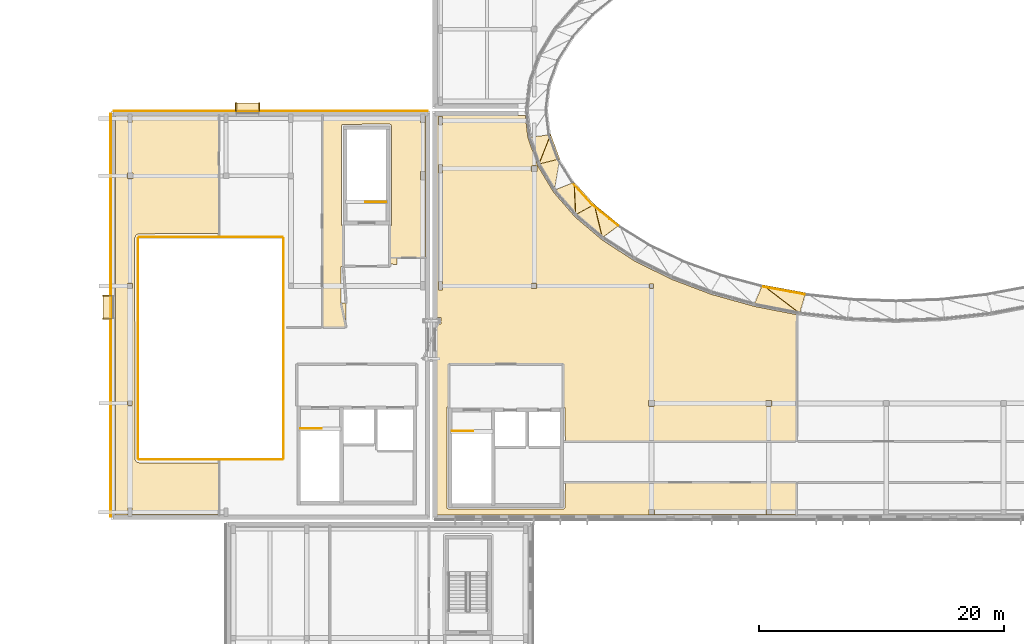
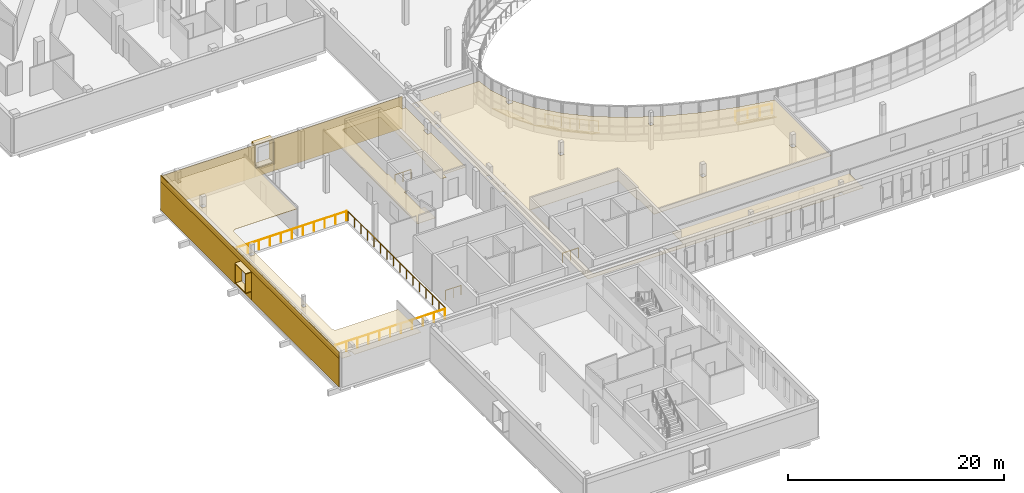
# One storey, part 56 of 73: 27 coverings, 10 railings.
"""IFC4 building model written with IfcOpenShell, lengths in metres."""

from ifc_helpers import new_model, si_unit, direction, frame, origin, origin_2d, place, context, subcontext, project, spatial, polyline, rectangle, circle, outline, extrude, material, layer, layer_set, type_object, element, save


model = new_model("IFC4")

# Units and contexts
model_context = context("Model", 3, precision=1e-05, world=origin(), true_north=direction((0.0, 1.0)))
body_context = subcontext(model_context, "Body", "Model", "MODEL_VIEW")
ifc_project = project(units=[si_unit("LENGTHUNIT", "METRE"), si_unit("AREAUNIT", "SQUARE_METRE"), si_unit("VOLUMEUNIT", "CUBIC_METRE"), si_unit("PLANEANGLEUNIT", "RADIAN"), si_unit("MASSUNIT", "GRAM", prefix="KILO")], contexts=[model_context])

# Site, building, storey
site_placement = place(None, origin())
site = spatial("IfcSite", under=ifc_project, at=site_placement, CompositionType="ELEMENT")
building_placement = place(site_placement, origin())
building = spatial("IfcBuilding", under=site, at=building_placement, Name="Mzevani Central Library", CompositionType="ELEMENT")
storey_placement = place(building_placement, frame((0.0, 0.0, 9.60009765625)))
storey = spatial("IfcBuildingStorey", under=building, at=storey_placement, Name="L02", CompositionType="ELEMENT", Elevation=9.60009765625)

# Railings
ifc_material_1 = material(Name="Brushed stainless steel rail", Category="steel")
railing_type_1 = type_object("IfcRailingType", Name="Interior Gallery and Stair Guard 1100", PredefinedType="BALUSTRADE", material=ifc_material_1)
railing_1_placement = place(storey_placement, frame((33.800048828125, 47.39990234375, 0.0)))
element("IfcRailing", 1, at=railing_1_placement, inside=storey, type_object=railing_type_1, Name="L02 V5 Double-Height Void Guard 19", PredefinedType="BALUSTRADE", context=body_context, shape_type="SweptSolid", body=[
    extrude(circle(Radius=0.02392578125, at=origin_2d()), frame((0.0, 0.0, 1.076171875), z_axis=(-1.0, 0.0, 0.0), x_axis=(0.0, -1.0, 0.0)), (0.0, 0.0, 1.0), 11.699951171875),
    extrude(circle(Radius=0.02099609375, at=origin_2d()), origin(), (0.0, 0.0, 1.0), 1.052001953125),
    extrude(circle(Radius=0.02099609375, at=origin_2d()), frame((-1.169921875, 0.0, 0.0)), (0.0, 0.0, 1.0), 1.052001953125),
    extrude(circle(Radius=0.02099609375, at=origin_2d()), frame((-2.340087890625, 0.0, 0.0)), (0.0, 0.0, 1.0), 1.052001953125),
    extrude(circle(Radius=0.02099609375, at=origin_2d()), frame((-3.510009765625, 0.0, 0.0)), (0.0, 0.0, 1.0), 1.052001953125),
    extrude(circle(Radius=0.02099609375, at=origin_2d()), frame((-4.679931640625, 0.0, 0.0)), (0.0, 0.0, 1.0), 1.052001953125),
    extrude(circle(Radius=0.02099609375, at=origin_2d()), frame((-5.85009765625, 0.0, 0.0)), (0.0, 0.0, 1.0), 1.052001953125),
    extrude(circle(Radius=0.02099609375, at=origin_2d()), frame((-7.02001953125, 0.0, 0.0)), (0.0, 0.0, 1.0), 1.052001953125),
    extrude(circle(Radius=0.02099609375, at=origin_2d()), frame((-8.18994140625, 0.0, 0.0)), (0.0, 0.0, 1.0), 1.052001953125),
    extrude(circle(Radius=0.02099609375, at=origin_2d()), frame((-9.35986328125, 0.0, 0.0)), (0.0, 0.0, 1.0), 1.052001953125),
    extrude(circle(Radius=0.02099609375, at=origin_2d()), frame((-10.530029296875, 0.0, 0.0)), (0.0, 0.0, 1.0), 1.052001953125),
    extrude(circle(Radius=0.02099609375, at=origin_2d()), frame((-11.699951171875, 0.0, 0.0)), (0.0, 0.0, 1.0), 1.052001953125),
])
railing_2_placement = place(storey_placement, frame((22.0, 47.5, 0.0)))
element("IfcRailing", 2, at=railing_2_placement, inside=storey, type_object=railing_type_1, Name="L02 V5 Double-Height Void Guard 20", PredefinedType="BALUSTRADE", context=body_context, shape_type="SweptSolid", body=[
    extrude(circle(Radius=0.02392578125, at=origin_2d()), frame((0.0, 0.0, 1.076171875), z_axis=(0.0, 1.0, 0.0), x_axis=(-1.0, 0.0, 0.0)), (0.0, 0.0, 1.0), 18.0),
    extrude(circle(Radius=0.02099609375, at=origin_2d()), origin(), (0.0, 0.0, 1.0), 1.052001953125),
    extrude(circle(Radius=0.02099609375, at=origin_2d()), frame((0.0, 1.199951171875, 0.0)), (0.0, 0.0, 1.0), 1.052001953125),
    extrude(circle(Radius=0.02099609375, at=origin_2d()), frame((0.0, 2.39990234375, 0.0)), (0.0, 0.0, 1.0), 1.052001953125),
    extrude(circle(Radius=0.02099609375, at=origin_2d()), frame((0.0, 3.60009765625, 0.0)), (0.0, 0.0, 1.0), 1.052001953125),
    extrude(circle(Radius=0.02099609375, at=origin_2d()), frame((0.0, 4.800048828125, 0.0)), (0.0, 0.0, 1.0), 1.052001953125),
    extrude(circle(Radius=0.02099609375, at=origin_2d()), frame((0.0, 6.0, 0.0)), (0.0, 0.0, 1.0), 1.052001953125),
    extrude(circle(Radius=0.02099609375, at=origin_2d()), frame((0.0, 7.199951171875, 0.0)), (0.0, 0.0, 1.0), 1.052001953125),
    extrude(circle(Radius=0.02099609375, at=origin_2d()), frame((0.0, 8.39990234375, 0.0)), (0.0, 0.0, 1.0), 1.052001953125),
    extrude(circle(Radius=0.02099609375, at=origin_2d()), frame((0.0, 9.60009765625, 0.0)), (0.0, 0.0, 1.0), 1.052001953125),
    extrude(circle(Radius=0.02099609375, at=origin_2d()), frame((0.0, 10.800048828125, 0.0)), (0.0, 0.0, 1.0), 1.052001953125),
    extrude(circle(Radius=0.02099609375, at=origin_2d()), frame((0.0, 12.0, 0.0)), (0.0, 0.0, 1.0), 1.052001953125),
    extrude(circle(Radius=0.02099609375, at=origin_2d()), frame((0.0, 13.199951171875, 0.0)), (0.0, 0.0, 1.0), 1.052001953125),
    extrude(circle(Radius=0.02099609375, at=origin_2d()), frame((0.0, 14.39990234375, 0.0)), (0.0, 0.0, 1.0), 1.052001953125),
    extrude(circle(Radius=0.02099609375, at=origin_2d()), frame((0.0, 15.60009765625, 0.0)), (0.0, 0.0, 1.0), 1.052001953125),
    extrude(circle(Radius=0.02099609375, at=origin_2d()), frame((0.0, 16.800048828125, 0.0)), (0.0, 0.0, 1.0), 1.052001953125),
    extrude(circle(Radius=0.02099609375, at=origin_2d()), frame((0.0, 18.0, 0.0)), (0.0, 0.0, 1.0), 1.052001953125),
])
railing_3_placement = place(storey_placement, frame((22.10009765625, 65.60009765625, 0.0)))
element("IfcRailing", 3, at=railing_3_placement, inside=storey, type_object=railing_type_1, Name="L02 V5 Double-Height Void Guard 21", PredefinedType="BALUSTRADE", context=body_context, shape_type="SweptSolid", body=[
    extrude(circle(Radius=0.02392578125, at=origin_2d()), frame((0.0, 0.0, 1.076171875), z_axis=(1.0, 0.0, 0.0), x_axis=(0.0, 1.0, 0.0)), (0.0, 0.0, 1.0), 11.699951171875),
    extrude(circle(Radius=0.02099609375, at=origin_2d()), origin(), (0.0, 0.0, 1.0), 1.052001953125),
    extrude(circle(Radius=0.02099609375, at=origin_2d()), frame((1.169921875, 0.0, 0.0)), (0.0, 0.0, 1.0), 1.052001953125),
    extrude(circle(Radius=0.02099609375, at=origin_2d()), frame((2.340087890625, 0.0, 0.0)), (0.0, 0.0, 1.0), 1.052001953125),
    extrude(circle(Radius=0.02099609375, at=origin_2d()), frame((3.510009765625, 0.0, 0.0)), (0.0, 0.0, 1.0), 1.052001953125),
    extrude(circle(Radius=0.02099609375, at=origin_2d()), frame((4.679931640625, 0.0, 0.0)), (0.0, 0.0, 1.0), 1.052001953125),
    extrude(circle(Radius=0.02099609375, at=origin_2d()), frame((5.85009765625, 0.0, 0.0)), (0.0, 0.0, 1.0), 1.052001953125),
    extrude(circle(Radius=0.02099609375, at=origin_2d()), frame((7.02001953125, 0.0, 0.0)), (0.0, 0.0, 1.0), 1.052001953125),
    extrude(circle(Radius=0.02099609375, at=origin_2d()), frame((8.18994140625, 0.0, 0.0)), (0.0, 0.0, 1.0), 1.052001953125),
    extrude(circle(Radius=0.02099609375, at=origin_2d()), frame((9.35986328125, 0.0, 0.0)), (0.0, 0.0, 1.0), 1.052001953125),
    extrude(circle(Radius=0.02099609375, at=origin_2d()), frame((10.530029296875, 0.0, 0.0)), (0.0, 0.0, 1.0), 1.052001953125),
    extrude(circle(Radius=0.02099609375, at=origin_2d()), frame((11.699951171875, 0.0, 0.0)), (0.0, 0.0, 1.0), 1.052001953125),
])
railing_4_placement = place(storey_placement, frame((33.89990234375, 65.5, 0.0)))
element("IfcRailing", 4, at=railing_4_placement, inside=storey, type_object=railing_type_1, Name="L02 V5 Double-Height Void Guard 22", PredefinedType="BALUSTRADE", context=body_context, shape_type="SweptSolid", body=[
    extrude(circle(Radius=0.02392578125, at=origin_2d()), frame((0.0, 0.0, 1.076171875), z_axis=(0.0, -1.0, 0.0), x_axis=(1.0, 0.0, 0.0)), (0.0, 0.0, 1.0), 18.0),
    extrude(circle(Radius=0.02099609375, at=origin_2d()), origin(), (0.0, 0.0, 1.0), 1.052001953125),
    extrude(circle(Radius=0.02099609375, at=origin_2d()), frame((0.0, -1.199951171875, 0.0)), (0.0, 0.0, 1.0), 1.052001953125),
    extrude(circle(Radius=0.02099609375, at=origin_2d()), frame((0.0, -2.39990234375, 0.0)), (0.0, 0.0, 1.0), 1.052001953125),
    extrude(circle(Radius=0.02099609375, at=origin_2d()), frame((0.0, -3.60009765625, 0.0)), (0.0, 0.0, 1.0), 1.052001953125),
    extrude(circle(Radius=0.02099609375, at=origin_2d()), frame((0.0, -4.800048828125, 0.0)), (0.0, 0.0, 1.0), 1.052001953125),
    extrude(circle(Radius=0.02099609375, at=origin_2d()), frame((0.0, -6.0, 0.0)), (0.0, 0.0, 1.0), 1.052001953125),
    extrude(circle(Radius=0.02099609375, at=origin_2d()), frame((0.0, -7.199951171875, 0.0)), (0.0, 0.0, 1.0), 1.052001953125),
    extrude(circle(Radius=0.02099609375, at=origin_2d()), frame((0.0, -8.39990234375, 0.0)), (0.0, 0.0, 1.0), 1.052001953125),
    extrude(circle(Radius=0.02099609375, at=origin_2d()), frame((0.0, -9.60009765625, 0.0)), (0.0, 0.0, 1.0), 1.052001953125),
    extrude(circle(Radius=0.02099609375, at=origin_2d()), frame((0.0, -10.800048828125, 0.0)), (0.0, 0.0, 1.0), 1.052001953125),
    extrude(circle(Radius=0.02099609375, at=origin_2d()), frame((0.0, -12.0, 0.0)), (0.0, 0.0, 1.0), 1.052001953125),
    extrude(circle(Radius=0.02099609375, at=origin_2d()), frame((0.0, -13.199951171875, 0.0)), (0.0, 0.0, 1.0), 1.052001953125),
    extrude(circle(Radius=0.02099609375, at=origin_2d()), frame((0.0, -14.39990234375, 0.0)), (0.0, 0.0, 1.0), 1.052001953125),
    extrude(circle(Radius=0.02099609375, at=origin_2d()), frame((0.0, -15.60009765625, 0.0)), (0.0, 0.0, 1.0), 1.052001953125),
    extrude(circle(Radius=0.02099609375, at=origin_2d()), frame((0.0, -16.800048828125, 0.0)), (0.0, 0.0, 1.0), 1.052001953125),
    extrude(circle(Radius=0.02099609375, at=origin_2d()), frame((0.0, -18.0, 0.0)), (0.0, 0.0, 1.0), 1.052001953125),
])
for number, where, name in (
    (5, (47.699951171875, 49.75, 0.0), "L02 ST-01 top well guard 1"),
    (6, (35.300048828125, 49.949951171875, 0.0), "L02 ST-09 top well guard 1"),
):
    element("IfcRailing", number, at=place(storey_placement, frame(where)), inside=storey, type_object=railing_type_1, Name=name, PredefinedType="BALUSTRADE", context=body_context, shape_type="SweptSolid", body=[
        extrude(circle(Radius=0.02392578125, at=origin_2d()), frame((0.0, 0.0, 1.076171875), z_axis=(1.0, 0.0, 0.0), x_axis=(0.0, 1.0, 0.0)), (0.0, 0.0, 1.0), 1.699951171875),
        extrude(circle(Radius=0.02099609375, at=origin_2d()), origin(), (0.0, 0.0, 1.0), 1.052001953125),
        extrude(circle(Radius=0.02099609375, at=origin_2d()), frame((0.85009765625, 0.0, 0.0)), (0.0, 0.0, 1.0), 1.052001953125),
        extrude(circle(Radius=0.02099609375, at=origin_2d()), frame((1.699951171875, 0.0, 0.0)), (0.0, 0.0, 1.0), 1.052001953125),
    ])
railing_5_placement = place(storey_placement, frame((42.300048828125, 68.449951171875, 0.0)))
element("IfcRailing", 7, at=railing_5_placement, inside=storey, type_object=railing_type_1, Name="L02 ST-10 top well guard 1", PredefinedType="BALUSTRADE", context=body_context, shape_type="SweptSolid", body=[
    extrude(circle(Radius=0.02392578125, at=origin_2d()), frame((0.0, 0.0, 1.076171875), z_axis=(-1.0, 0.0, 0.0), x_axis=(0.0, -1.0, 0.0)), (0.0, 0.0, 1.0), 1.699951171875),
    extrude(circle(Radius=0.02099609375, at=origin_2d()), origin(), (0.0, 0.0, 1.0), 1.052001953125),
    extrude(circle(Radius=0.02099609375, at=origin_2d()), frame((-0.85009765625, 0.0, 0.0)), (0.0, 0.0, 1.0), 1.052001953125),
    extrude(circle(Radius=0.02099609375, at=origin_2d()), frame((-1.699951171875, 0.0, 0.0)), (0.0, 0.0, 1.0), 1.052001953125),
])

# Coverings
ifc_material_2 = material(Name="Limestone ashlar cladding", Category="masonry")
ifc_layer_1 = layer(ifc_material_2, 0.050048828125, Name="Limestone Ashlar Spandrel Cladding")
ifc_layer_set_1 = layer_set([ifc_layer_1], Name="Limestone ashlar cladding")
covering_type_1 = type_object("IfcCoveringType", Name="Limestone Ashlar Spandrel Cladding", PredefinedType="CLADDING", material=ifc_layer_set_1)
covering_1_placement = place(storey_placement, frame((55.763427734375, 73.979736328125, -0.280029296875), z_axis=(0.455633887717, 0.167030128736, 0.874356161103), x_axis=(0.344189928554, -0.938900044244, 0.0)))
element("IfcCovering", 8, at=covering_1_placement, inside=storey, type_object=covering_type_1, Name="L02 Curved Court Spandrel Apron 26A", PredefinedType="CLADDING", context=body_context, shape_type="SweptSolid", body=[
    extrude(outline(polyline([(0.0, 0.0), (2.105969569387598, 0.0), (1.9290485686132501, -1.9781394470171674), (0.0, 0.0)])), origin(), (0.0, 0.0, -1.0), 0.06005859375),
])
covering_2_placement = place(storey_placement, frame((55.763427734375, 73.979736328125, -0.280029296875), z_axis=(0.463486482429, 0.162583177729, 0.871060842264), x_axis=(-0.347432125005, -0.870966036668, 0.347432125005)))
element("IfcCovering", 9, at=covering_2_placement, inside=storey, type_object=covering_type_1, Name="L02 Curved Court Spandrel Apron 26B", PredefinedType="CLADDING", context=body_context, shape_type="SweptSolid", body=[
    extrude(outline(polyline([(0.0, 0.0), (2.763017200799556, 1.1102230246251565e-16), (1.1280344801471227, -1.6361023595617041), (0.0, 0.0)])), origin(), (0.0, 0.0, -1.0), 0.06005859375),
])
covering_3_placement = place(storey_placement, frame((56.489013671875, 71.99658203125, -0.280029296875), z_axis=(0.427600540054, 0.255985632077, 0.866965474696), x_axis=(-0.153083962784, -0.924708685444, 0.34853858811)))
element("IfcCovering", 10, at=covering_3_placement, inside=storey, type_object=covering_type_1, Name="L02 Curved Court Spandrel Apron 27B", PredefinedType="CLADDING", context=body_context, shape_type="SweptSolid", body=[
    extrude(outline(polyline([(0.0, 0.0), (2.7542457858238034, 1.6653345369377348e-16), (0.9988317652266225, -1.7175674107977268), (0.0, 0.0)])), origin(), (0.0, 0.0, -1.0), 0.06005859375),
])
covering_4_placement = place(storey_placement, frame((57.6845703125, 70.081298828125, -0.280029296875), z_axis=(0.36585431981, 0.332460109684, 0.869264569706), x_axis=(0.67252356476, -0.740075708858, 0.0)))
element("IfcCovering", 11, at=covering_4_placement, inside=storey, type_object=covering_type_1, Name="L02 Curved Court Spandrel Apron 28A", PredefinedType="CLADDING", context=body_context, shape_type="SweptSolid", body=[
    extrude(outline(polyline([(0.0, 0.0), (2.44313581314485, 0.0), (2.039067818609189, -1.9418761316414812), (0.0, 0.0)])), origin(), (0.0, 0.0, -1.0), 0.06005859375),
])
covering_5_placement = place(storey_placement, frame((57.6845703125, 70.081298828125, -0.280029296875), z_axis=(0.380664338641, 0.331026640171, 0.863432698468), x_axis=(0.043352045933, -0.939092018998, 0.340920489216)))
element("IfcCovering", 12, at=covering_5_placement, inside=storey, type_object=covering_type_1, Name="L02 Curved Court Spandrel Apron 28B", PredefinedType="CLADDING", context=body_context, shape_type="SweptSolid", body=[
    extrude(outline(polyline([(0.0, 0.0), (2.8157912705892314, 1.6653345369377348e-16), (0.8662632066618072, -1.7874698419575334), (0.0, 0.0)])), origin(), (0.0, 0.0, -1.0), 0.06005859375),
])
covering_6_placement = place(storey_placement, frame((59.32958984375, 68.2666015625, -0.280029296875), z_axis=(0.313297171416, 0.385757979486, 0.867776275111), x_axis=(0.776243179452, -0.63043360186, 0.0)))
element("IfcCovering", 13, at=covering_6_placement, inside=storey, type_object=covering_type_1, Name="L02 Curved Court Spandrel Apron 29A", PredefinedType="CLADDING", context=body_context, shape_type="SweptSolid", body=[
    extrude(outline(polyline([(0.0, 0.0), (2.6589152708638646, 0.0), (2.2156245628765685, -1.9316855901920125), (0.0, 0.0)])), origin(), (0.0, 0.0, -1.0), 0.06005859375),
])
covering_7_placement = place(storey_placement, frame((59.32958984375, 68.2666015625, -0.280029296875), z_axis=(0.328630553265, 0.387261921438, 0.861411727146), x_axis=(0.225581176711, -0.917856253251, 0.326577756563)))
element("IfcCovering", 14, at=covering_7_placement, inside=storey, type_object=covering_type_1, Name="L02 Curved Court Spandrel Apron 29B", PredefinedType="CLADDING", context=body_context, shape_type="SweptSolid", body=[
    extrude(outline(polyline([(0.0, 0.0), (2.9394559739818265, -5.551115123125783e-17), (0.7495256528974306, -1.838540987741635), (0.0, 0.0)])), origin(), (0.0, 0.0, -1.0), 0.06005859375),
])
covering_8_placement = place(storey_placement, frame((73.08935546875, 61.693115234375, -0.280029296875), z_axis=(0.088117395966, 0.478223562515, 0.873806356571), x_axis=(0.983444547385, -0.181209332591, 0.0)))
element("IfcCovering", 15, at=covering_8_placement, inside=storey, type_object=covering_type_1, Name="L02 Curved Court Spandrel Apron 34A", PredefinedType="CLADDING", context=body_context, shape_type="SweptSolid", body=[
    extrude(outline(polyline([(0.0, 0.0), (3.577041811841854, 0.0), (3.3983879339540835, -1.9741150869311932), (0.0, 0.0)])), origin(), (0.0, 0.0, -1.0), 0.06005859375),
])
covering_9_placement = place(storey_placement, frame((73.08935546875, 61.693115234375, -0.280029296875), z_axis=(0.093032239011, 0.483291368597, 0.870502415588), x_axis=(0.770843861643, -0.588336063633, 0.24425482021)))
element("IfcCovering", 16, at=covering_9_placement, inside=storey, type_object=covering_type_1, Name="L02 Curved Court Spandrel Apron 34B", PredefinedType="CLADDING", context=body_context, shape_type="SweptSolid", body=[
    extrude(outline(polyline([(0.0, 0.0), (3.9301616921055618, -1.6653345369377348e-16), (0.6448005874871986, -1.8780940729825715), (0.0, 0.0)])), origin(), (0.0, 0.0, -1.0), 0.06005859375),
])
for number, where, z_axis, x_axis, name in (
    (17, (19.4619140625, 59.8603515625, 3.14990234375), (0.0, 0.0, 1.0), (0.0, 1.0, 0.0), "L02 Deep Window Reveal HD (REV4-0190)"),
    (18, (19.4619140625, 59.8603515625, 0.9599609375), (0.0, 0.0, 1.0), (0.0, 1.0, 0.0), "L02 Deep Window Reveal SL (REV4-0190)"),
):
    element("IfcCovering", number, at=place(storey_placement, frame(where, z_axis=z_axis, x_axis=x_axis)), inside=storey, type_object=covering_type_1, Name=name, PredefinedType="CLADDING", context=body_context, shape_type="SweptSolid", body=[
        extrude(rectangle(XDim=1.97998046875, YDim=0.679931640625, at=origin_2d()), origin(), (0.0, 0.0, 1.0), 0.090087890625),
    ])
for number, where, z_axis, x_axis, name in (
    (19, (19.4619140625, 58.915283203125, 1.0498046875), (0.0, 0.0, 1.0), (0.0, 1.0, 0.0), "L02 Deep Window Reveal JL (REV4-0190)"),
    (20, (19.4619140625, 60.805419921875, 1.0498046875), (0.0, 0.0, 1.0), (0.0, 1.0, 0.0), "L02 Deep Window Reveal JR (REV4-0190)"),
):
    element("IfcCovering", number, at=place(storey_placement, frame(where, z_axis=z_axis, x_axis=x_axis)), inside=storey, type_object=covering_type_1, Name=name, PredefinedType="CLADDING", context=body_context, shape_type="SweptSolid", body=[
        extrude(rectangle(XDim=0.090087890625, YDim=0.679931640625, at=origin_2d()), origin(), (0.0, 0.0, 1.0), 2.10009765625),
    ])
covering_10_placement = place(storey_placement, frame((19.77587890625, 59.199951171875, 3.25), z_axis=(0.0, 0.0, 1.0), x_axis=(0.0, 1.0, 0.0)))
element("IfcCovering", 21, at=covering_10_placement, inside=storey, type_object=covering_type_1, Name="L02 Warm-White Facade Spandrel (EW4-V5-L02-0096)", PredefinedType="CLADDING", context=body_context, shape_type="SweptSolid", body=[
    extrude(rectangle(XDim=32.97998046875, YDim=0.050048828125, at=origin_2d()), origin(), (0.0, 0.0, 1.0), 0.68994140625),
])
covering_11_placement = place(storey_placement, frame((19.77587890625, 50.775146484375, 0.0), z_axis=(0.0, 0.0, 1.0), x_axis=(0.0, 1.0, 0.0)))
element("IfcCovering", 22, at=covering_11_placement, inside=storey, type_object=covering_type_1, Name="L02 Warm-White Facade Pier 1 (EW4-V5-L02-0096)", PredefinedType="CLADDING", context=body_context, shape_type="SweptSolid", body=[
    extrude(rectangle(XDim=16.13037109375, YDim=0.050048828125, at=origin_2d()), origin(), (0.0, 0.0, 1.0), 3.25),
])
covering_12_placement = place(storey_placement, frame((19.77587890625, 59.8603515625, 0.0), z_axis=(0.0, 0.0, 1.0), x_axis=(0.0, 1.0, 0.0)))
element("IfcCovering", 23, at=covering_12_placement, inside=storey, type_object=covering_type_1, Name="L02 Warm-White Sill Cladding 2 (EW4-V5-L02-0096)", PredefinedType="CLADDING", context=body_context, shape_type="SweptSolid", body=[
    extrude(rectangle(XDim=2.0, YDim=0.050048828125, at=origin_2d()), origin(), (0.0, 0.0, 1.0), 0.949951171875),
])
covering_13_placement = place(storey_placement, frame((19.77587890625, 68.28515625, 0.0), z_axis=(0.0, 0.0, 1.0), x_axis=(0.0, 1.0, 0.0)))
element("IfcCovering", 24, at=covering_13_placement, inside=storey, type_object=covering_type_1, Name="L02 Warm-White Facade Pier 3 (EW4-V5-L02-0096)", PredefinedType="CLADDING", context=body_context, shape_type="SweptSolid", body=[
    extrude(rectangle(XDim=14.8095703125, YDim=0.050048828125, at=origin_2d()), origin(), (0.0, 0.0, 1.0), 3.25),
])
for number, where, z_axis, x_axis, name in (
    (25, (30.96435546875, 76.238037109375, 3.5498046875), (0.0, 0.0, 1.0), (1.0, 0.0, 0.0), "L02 Deep Window Reveal HD (REV4-0191)"),
    (26, (30.96435546875, 76.238037109375, 0.9599609375), (0.0, 0.0, 1.0), (1.0, 0.0, 0.0), "L02 Deep Window Reveal SL (REV4-0191)"),
):
    element("IfcCovering", number, at=place(storey_placement, frame(where, z_axis=z_axis, x_axis=x_axis)), inside=storey, type_object=covering_type_1, Name=name, PredefinedType="CLADDING", context=body_context, shape_type="SweptSolid", body=[
        extrude(rectangle(XDim=1.97998046875, YDim=0.679931640625, at=origin_2d()), origin(), (0.0, 0.0, 1.0), 0.090087890625),
    ])
for number, where, z_axis, x_axis, name in (
    (27, (30.019287109375, 76.238037109375, 1.0498046875), (0.0, 0.0, 1.0), (1.0, 0.0, 0.0), "L02 Deep Window Reveal JL (REV4-0191)"),
    (28, (31.909423828125, 76.238037109375, 1.0498046875), (0.0, 0.0, 1.0), (1.0, 0.0, 0.0), "L02 Deep Window Reveal JR (REV4-0191)"),
):
    element("IfcCovering", number, at=place(storey_placement, frame(where, z_axis=z_axis, x_axis=x_axis)), inside=storey, type_object=covering_type_1, Name=name, PredefinedType="CLADDING", context=body_context, shape_type="SweptSolid", body=[
        extrude(rectangle(XDim=0.090087890625, YDim=0.679931640625, at=origin_2d()), origin(), (0.0, 0.0, 1.0), 2.5),
    ])
covering_14_placement = place(storey_placement, frame((24.977294921875, 75.924072265625, 0.0), z_axis=(0.0, 0.0, 1.0), x_axis=(1.0, 0.0, 0.0)))
element("IfcCovering", 29, at=covering_14_placement, inside=storey, type_object=covering_type_1, Name="L02 Warm-White Facade Pier 1 (EW4-V5-L02-0097)", PredefinedType="CLADDING", context=body_context, shape_type="SweptSolid", body=[
    extrude(rectangle(XDim=9.934326171875, YDim=0.050048828125, at=origin_2d()), origin(), (0.0, 0.0, 1.0), 3.64990234375),
])
covering_15_placement = place(storey_placement, frame((30.96435546875, 75.924072265625, 0.0), z_axis=(0.0, 0.0, 1.0), x_axis=(1.0, 0.0, 0.0)))
element("IfcCovering", 30, at=covering_15_placement, inside=storey, type_object=covering_type_1, Name="L02 Warm-White Sill Cladding 2 (EW4-V5-L02-0097)", PredefinedType="CLADDING", context=body_context, shape_type="SweptSolid", body=[
    extrude(rectangle(XDim=2.0, YDim=0.050048828125, at=origin_2d()), origin(), (0.0, 0.0, 1.0), 0.949951171875),
])
covering_16_placement = place(storey_placement, frame((38.837158203125, 75.924072265625, 0.0), z_axis=(0.0, 0.0, 1.0), x_axis=(1.0, 0.0, 0.0)))
element("IfcCovering", 31, at=covering_16_placement, inside=storey, type_object=covering_type_1, Name="L02 Warm-White Facade Pier 3 (EW4-V5-L02-0097)", PredefinedType="CLADDING", context=body_context, shape_type="SweptSolid", body=[
    extrude(rectangle(XDim=13.70556640625, YDim=0.050048828125, at=origin_2d()), origin(), (0.0, 0.0, 1.0), 3.64990234375),
])
ifc_material_3 = material(Name="Mineral wool acoustic ceiling")
ifc_layer_2 = layer(ifc_material_3, 0.0400390625, Name="Perforated Timber Acoustic Ceiling")
ifc_layer_set_2 = layer_set([ifc_layer_2], Name="Mineral wool acoustic ceiling")
covering_type_2 = type_object("IfcCoveringType", Name="Perforated Timber Acoustic Ceiling", PredefinedType="CEILING", material=ifc_layer_set_2)
covering_17_placement = place(storey_placement, frame((0.0, 0.0, 2.72998046875)))
element("IfcCovering", 32, at=covering_17_placement, inside=storey, type_object=covering_type_2, Name="L02 Gridshell Panorama Reading Gallery Acoustic Ceiling", PredefinedType="CEILING", context=body_context, shape_type="SweptSolid", body=[
    extrude(outline(polyline([(75.874755859375, 59.253662109375), (75.867919921875, 48.870361328125), (56.947021484375, 48.870361328125), (56.939208984375, 51.6123046875), (56.88818359375, 51.7080078125), (56.7900390625, 51.75), (56.7900390625, 55.18994140625), (47.409912109375, 55.18994140625), (47.409912109375, 51.75), (47.301513671875, 51.698486328125), (47.260009765625, 51.597900390625), (47.285400390625, 43.422607421875), (47.402587890625, 43.360107421875), (56.824951171875, 43.36279296875), (56.939208984375, 43.4892578125), (56.948974609375, 45.530029296875), (75.864990234375, 45.530029296875), (75.86962890625, 42.87109375), (46.47119140625, 42.875244140625), (46.469970703125, 58.5), (46.800048828125, 58.5), (46.800048828125, 59.0), (46.469970703125, 59.0), (46.475341796875, 75.52880859375), (53.677490234375, 75.52880859375), (53.888916015625, 73.738037109375), (54.687255859375, 71.43994140625), (55.984130859375, 69.2724609375), (57.75927734375, 67.230712890625), (59.9990234375, 65.33251953125), (62.62255859375, 63.638916015625), (65.6064453125, 62.156982421875), (68.90087890625, 60.910400390625), (72.41943359375, 59.926513671875), (75.874755859375, 59.253662109375)]), holes=[polyline([(46.574951171875, 61.25), (46.925048828125, 61.25), (46.925048828125, 61.949951171875), (46.574951171875, 61.949951171875), (46.574951171875, 61.25)]), polyline([(46.574951171875, 71.550048828125), (46.574951171875, 70.85009765625), (46.925048828125, 70.85009765625), (46.925048828125, 71.550048828125), (46.574951171875, 71.550048828125)]), polyline([(46.925048828125, 75.449951171875), (46.574951171875, 75.449951171875), (46.574951171875, 74.75), (46.925048828125, 74.75), (46.925048828125, 75.449951171875)]), polyline([(54.60009765625, 61.39990234375), (54.60009765625, 61.800048828125), (54.199951171875, 61.800048828125), (54.199951171875, 61.39990234375), (54.60009765625, 61.39990234375)]), polyline([(54.175048828125, 70.97509765625), (54.625, 70.97509765625), (54.625, 71.425048828125), (54.175048828125, 71.425048828125), (54.175048828125, 70.97509765625)]), polyline([(63.800048828125, 43.300048828125), (63.800048828125, 42.89990234375), (64.199951171875, 42.89990234375), (64.199951171875, 43.300048828125), (63.800048828125, 43.300048828125)]), polyline([(64.22509765625, 52.22509765625), (63.77490234375, 52.22509765625), (63.77490234375, 51.77490234375), (64.22509765625, 51.77490234375), (64.22509765625, 52.22509765625)]), polyline([(64.175048828125, 61.425048828125), (64.175048828125, 61.77490234375), (63.824951171875, 61.77490234375), (63.824951171875, 61.425048828125), (64.175048828125, 61.425048828125)]), polyline([(73.39990234375, 42.89990234375), (73.800048828125, 42.89990234375), (73.800048828125, 43.300048828125), (73.39990234375, 43.300048828125), (73.39990234375, 42.89990234375)]), polyline([(73.375, 52.22509765625), (73.375, 51.77490234375), (73.824951171875, 51.77490234375), (73.824951171875, 52.22509765625), (73.375, 52.22509765625)])]), origin(), (0.0, 0.0, 1.0), 0.0400390625),
])
covering_18_placement = place(storey_placement, frame((0.0, 0.0, 2.949951171875)))
element("IfcCovering", 33, at=covering_18_placement, inside=storey, type_object=covering_type_2, Name="L02 Simultaneous Interpretation Suite Acoustic Ceiling", PredefinedType="CEILING", context=body_context, shape_type="SweptSolid", body=[
    extrude(outline(polyline([(20.169921875, 42.87890625), (20.17041015625, 75.52294921875), (21.175048828125, 75.530029296875), (21.175048828125, 74.949951171875), (21.52490234375, 74.949951171875), (21.52490234375, 75.530029296875), (28.629638671875, 75.529541015625), (28.635009765625, 65.87451171875), (22.06494140625, 65.8681640625), (21.839111328125, 65.76123046875), (21.72998046875, 65.498046875), (21.746337890625, 47.39306640625), (21.89501953125, 47.192626953125), (22.1015625, 47.1298828125), (28.63232421875, 47.12841796875), (28.63623046875, 42.877197265625), (21.52490234375, 42.8701171875), (21.52490234375, 43.449951171875), (21.175048828125, 43.449951171875), (21.175048828125, 42.8701171875), (20.169921875, 42.87890625)]), holes=[polyline([(21.52490234375, 51.824951171875), (21.52490234375, 52.175048828125), (21.175048828125, 52.175048828125), (21.175048828125, 51.824951171875), (21.52490234375, 51.824951171875)]), polyline([(21.14990234375, 61.39990234375), (21.550048828125, 61.39990234375), (21.550048828125, 61.800048828125), (21.14990234375, 61.800048828125), (21.14990234375, 61.39990234375)]), polyline([(21.125, 70.824951171875), (21.125, 70.375), (21.574951171875, 70.375), (21.574951171875, 70.824951171875), (21.125, 70.824951171875)])]), origin(), (0.0, 0.0, 1.0), 0.0400390625),
])
covering_19_placement = place(storey_placement, frame((0.0, 0.0, 2.949951171875)))
element("IfcCovering", 34, at=covering_19_placement, inside=storey, type_object=covering_type_2, Name="L02 Symposium Breakout Seminar Room Acoustic Ceiling", PredefinedType="CEILING", context=body_context, shape_type="SweptSolid", body=[
    extrude(outline(polyline([(45.523681640625, 63.890869140625), (43.18505859375, 63.889892578125), (43.181396484375, 63.372314453125), (42.59033203125, 63.377197265625), (42.590087890625, 66.449951171875), (42.698486328125, 66.501708984375), (42.739990234375, 66.60205078125), (42.714599609375, 74.77734375), (42.597412109375, 74.840087890625), (38.72265625, 74.814697265625), (38.659912109375, 74.697509765625), (38.659912109375, 66.60205078125), (38.70166015625, 66.501708984375), (38.81005859375, 66.449951171875), (38.81005859375, 63.199951171875), (38.610107421875, 63.18994140625), (38.610107421875, 60.2099609375), (39.02978515625, 60.201904296875), (39.030029296875, 58.198974609375), (37.06494140625, 58.1943359375), (37.067626953125, 75.5283203125), (45.125, 75.530029296875), (45.125, 74.949951171875), (45.47509765625, 74.949951171875), (45.47509765625, 75.530029296875), (45.5283203125, 75.525634765625), (45.523681640625, 63.890869140625)]), holes=[polyline([(45.125, 70.949951171875), (45.125, 70.25), (45.47509765625, 70.25), (45.47509765625, 70.949951171875), (45.125, 70.949951171875)])]), origin(), (0.0, 0.0, 1.0), 0.0400390625),
])

# Railings
ifc_material_4 = material(Name="Anodized architectural bronze")
railing_type_2 = type_object("IfcRailingType", Name="Terrace and Court Balustrade 1100", PredefinedType="BALUSTRADE", material=ifc_material_4)
railing_6_placement = place(storey_placement, frame((57.530029296875, 70.039794921875, 0.0)))
element("IfcRailing", 35, at=railing_6_placement, inside=storey, type_object=railing_type_2, Name="L02 Elliptical Court Terrace Guard 28", PredefinedType="BALUSTRADE", context=body_context, shape_type="SweptSolid", body=[
    extrude(circle(Radius=0.02392578125, at=origin_2d()), frame((0.0, 0.0, 1.076171875), z_axis=(0.67252356476, -0.740075708858, 0.0), x_axis=(0.740075708858, 0.67252356476, 0.0)), (0.0, 0.0, 1.0), 2.443115234375),
    extrude(circle(Radius=0.02099609375, at=origin_2d()), origin(), (0.0, 0.0, 1.0), 1.052001953125),
    extrude(circle(Radius=0.02099609375, at=origin_2d()), frame((0.547607421875, -0.602783203125, 0.0)), (0.0, 0.0, 1.0), 1.052001953125),
    extrude(circle(Radius=0.02099609375, at=origin_2d()), frame((1.095458984375, -1.205322265625, 0.0)), (0.0, 0.0, 1.0), 1.052001953125),
    extrude(circle(Radius=0.02099609375, at=origin_2d()), frame((1.64306640625, -1.80810546875, 0.0)), (0.0, 0.0, 1.0), 1.052001953125),
])
railing_7_placement = place(storey_placement, frame((59.17919921875, 68.2119140625, 0.0)))
element("IfcRailing", 36, at=railing_7_placement, inside=storey, type_object=railing_type_2, Name="L02 Elliptical Court Terrace Guard 29", PredefinedType="BALUSTRADE", context=body_context, shape_type="SweptSolid", body=[
    extrude(circle(Radius=0.02392578125, at=origin_2d()), frame((0.0, 0.0, 1.076171875), z_axis=(0.776288113836, -0.630378270816, 0.0), x_axis=(0.630378270816, 0.776288113836, 0.0)), (0.0, 0.0, 1.0), 2.65869140625),
    extrude(circle(Radius=0.02099609375, at=origin_2d()), origin(), (0.0, 0.0, 1.0), 1.052001953125),
    extrude(circle(Radius=0.02099609375, at=origin_2d()), frame((0.68798828125, -0.55859375, 0.0)), (0.0, 0.0, 1.0), 1.052001953125),
    extrude(circle(Radius=0.02099609375, at=origin_2d()), frame((1.3759765625, -1.117431640625, 0.0)), (0.0, 0.0, 1.0), 1.052001953125),
    extrude(circle(Radius=0.02099609375, at=origin_2d()), frame((2.06396484375, -1.676025390625, 0.0)), (0.0, 0.0, 1.0), 1.052001953125),
])
railing_8_placement = place(storey_placement, frame((73.00439453125, 61.557373046875, 0.0)))
element("IfcRailing", 37, at=railing_8_placement, inside=storey, type_object=railing_type_2, Name="L02 Elliptical Court Terrace Guard 34", PredefinedType="BALUSTRADE", context=body_context, shape_type="SweptSolid", body=[
    extrude(circle(Radius=0.02392578125, at=origin_2d()), frame((0.0, 0.0, 1.076171875), z_axis=(0.983456708482, -0.181143320446, 0.0), x_axis=(0.181143320446, 0.983456708482, 0.0)), (0.0, 0.0, 1.0), 3.576904296875),
    extrude(circle(Radius=0.02099609375, at=origin_2d()), origin(), (0.0, 0.0, 1.0), 1.052001953125),
    extrude(circle(Radius=0.02099609375, at=origin_2d()), frame((1.172607421875, -0.216064453125, 0.0)), (0.0, 0.0, 1.0), 1.052001953125),
    extrude(circle(Radius=0.02099609375, at=origin_2d()), frame((2.34521484375, -0.431884765625, 0.0)), (0.0, 0.0, 1.0), 1.052001953125),
    extrude(circle(Radius=0.02099609375, at=origin_2d()), frame((3.517822265625, -0.64794921875, 0.0)), (0.0, 0.0, 1.0), 1.052001953125),
])

save(model, "model.ifc")
